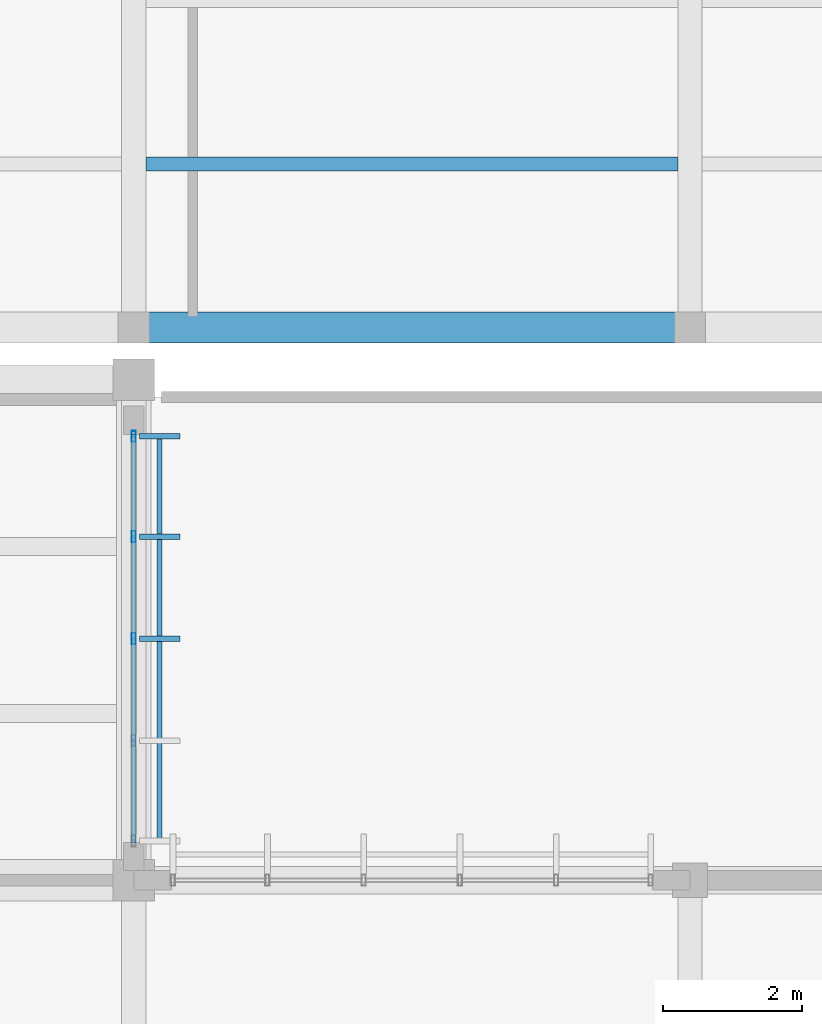
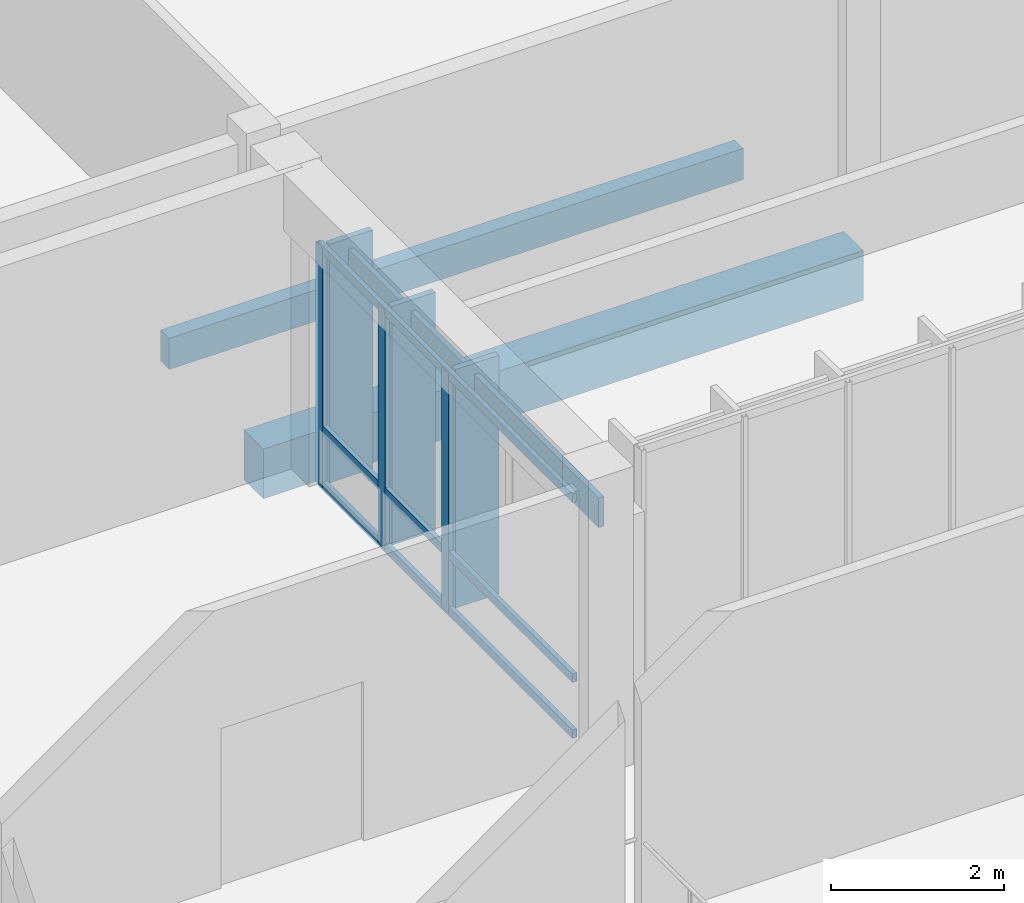
# One storey, part 37 of 182: 10 members, 2 beams, 1 element without a shape of its own.
"""IFC4 building model written with IfcOpenShell, lengths in metres."""

from ifc_helpers import new_model, si_unit, direction, frame, origin, origin_2d, place, context, subcontext, project, spatial, rectangle, hollow_rectangle, extrude, material, material_profile, profile_set, type_object, element, aggregate, save


model = new_model("IFC4")

# Units and contexts
model_context = context("Model", 3, precision=1e-05, world=origin(), true_north=direction((0.0, 1.0)))
body_context = subcontext(model_context, "Body", "Model", "MODEL_VIEW")
ifc_project = project(units=[si_unit("LENGTHUNIT", "METRE"), si_unit("AREAUNIT", "SQUARE_METRE"), si_unit("VOLUMEUNIT", "CUBIC_METRE"), si_unit("PLANEANGLEUNIT", "RADIAN"), si_unit("MASSUNIT", "GRAM", prefix="KILO")], contexts=[model_context])

# Site, building, storey
site_placement = place(None, origin())
site = spatial("IfcSite", under=ifc_project, at=site_placement, CompositionType="ELEMENT")
building_placement = place(site_placement, origin())
building = spatial("IfcBuilding", under=site, at=building_placement, Name="Chiffa Square Polytechnic", CompositionType="ELEMENT")
storey_placement = place(building_placement, frame((0.0, 0.0, 9.60009765625)))
storey = spatial("IfcBuildingStorey", under=building, at=storey_placement, Name="L02", CompositionType="ELEMENT", Elevation=9.60009765625)

# Beam
ifc_material_1 = material(Name="Concrete C35/45", Category="concrete")
ifc_material_profile_1 = material_profile(ifc_material_1, rectangle(XDim=0.449951171875, YDim=0.699951171875, at=origin_2d()), Name="RC 450x700")
ifc_profile_set_1 = profile_set([ifc_material_profile_1], Name="Concrete C35/45")
beam_type_1 = type_object("IfcBeamType", Name="BM-RC-450X700", PredefinedType="BEAM", material=ifc_profile_set_1)
beam_1_placement = place(storey_placement, frame((24.0, 36.75, -0.670166015625), z_axis=(1.0, 0.0, 0.0), x_axis=(0.0, 1.0, 0.0)))
element("IfcBeam", 1, at=beam_1_placement, inside=storey, type_object=beam_type_1, Name="Primary floor girder BM-V6-L02-X-0240-0368", PredefinedType="BEAM", context=body_context, shape_type="SweptSolid", body=[
    extrude(rectangle(XDim=0.449951171875, YDim=0.699951171875, at=origin_2d()), origin(), (0.0, 0.0, 1.0), 8.0),
])

# Curtain wall, members
ifc_material_2 = material(Name="Aluminium EN AW-6060 T66 and glulam shading", Category="wood")
curtain_wall_type = type_object("IfcCurtainWallType", Name="CW-VERT-360X380", PredefinedType="USERDEFINED", material=ifc_material_2)
curtain_wall_placement = place(storey_placement, origin())
curtain_wall = element("IfcCurtainWall", 2, at=curtain_wall_placement, inside=storey, type_object=curtain_wall_type, Name="Curtain wall CW-V3-L02-173", ObjectType="CURTAIN WALL", PredefinedType="USERDEFINED")
ifc_material_3 = material(Name="Aluminium EN AW-6060 T66", Category="aluminium")
ifc_material_profile_2 = material_profile(ifc_material_3, hollow_rectangle(XDim=0.06005859375, YDim=0.159912109375, WallThickness=0.00390625, at=origin_2d()), Name="ALU 60x160x4")
ifc_profile_set_2 = profile_set([ifc_material_profile_2], Name="Aluminium EN AW-6060 T66")
member_type_1 = type_object("IfcMemberType", Name="CWM-ALU-65X150", PredefinedType="MULLION", material=ifc_profile_set_2)
member_1_placement = place(storey_placement, frame((24.0, 32.27490234375, 0.0), z_axis=(0.0, 0.0, 1.0), x_axis=(1.0, 0.0, 0.0)))
member_1 = element("IfcMember", 3, at=member_1_placement, type_object=member_type_1, Name="Curtain wall mullion CW-V3-L02-173-M02", PredefinedType="MULLION", context=body_context, shape_type="SweptSolid", body=[
    extrude(hollow_rectangle(XDim=0.06005859375, YDim=0.159912109375, WallThickness=0.00390625, at=origin_2d()), origin(), (0.0, 0.0, 1.0), 3.385009765625),
])
member_2_placement = place(storey_placement, frame((24.0, 33.741943359375, 0.0), z_axis=(0.0, 0.0, 1.0), x_axis=(1.0, 0.0, 0.0)))
member_2 = element("IfcMember", 4, at=member_2_placement, type_object=member_type_1, Name="Curtain wall mullion CW-V3-L02-173-M03", PredefinedType="MULLION", context=body_context, shape_type="SweptSolid", body=[
    extrude(hollow_rectangle(XDim=0.06005859375, YDim=0.159912109375, WallThickness=0.00390625, at=origin_2d()), origin(), (0.0, 0.0, 1.0), 3.385009765625),
])
member_3_placement = place(storey_placement, frame((24.0, 35.18505859375, 0.0), z_axis=(0.0, 0.0, 1.0), x_axis=(1.0, 0.0, 0.0)))
member_3 = element("IfcMember", 5, at=member_3_placement, type_object=member_type_1, Name="Curtain wall mullion CW-V3-L02-173-M04", PredefinedType="MULLION", context=body_context, shape_type="SweptSolid", body=[
    extrude(hollow_rectangle(XDim=0.06005859375, YDim=0.159912109375, WallThickness=0.00390625, at=origin_2d()), origin(), (0.0, 0.0, 1.0), 3.385009765625),
])
ifc_material_4 = material(Name="Glulam GL28h", Category="wood")
ifc_material_profile_3 = material_profile(ifc_material_4, rectangle(XDim=0.080078125, YDim=0.580078125, at=origin_2d()), Name="GL28h 80x580")
ifc_profile_set_3 = profile_set([ifc_material_profile_3], Name="Glulam GL28h")
member_type_2 = type_object("IfcMemberType", Name="CWM-GL-80X580", PredefinedType="MULLION", material=ifc_profile_set_3)
member_4_placement = place(storey_placement, frame((24.3720703125, 32.27490234375, 0.010009765625), z_axis=(0.0, 0.0, 1.0), x_axis=(0.0, 1.0, 0.0)))
member_4 = element("IfcMember", 6, at=member_4_placement, type_object=member_type_2, Name="Exterior glulam solar fin CW-V3-L02-173-FN02", PredefinedType="MULLION", context=body_context, shape_type="SweptSolid", body=[
    extrude(rectangle(XDim=0.080078125, YDim=0.580078125, at=origin_2d()), origin(), (0.0, 0.0, 1.0), 3.364990234375),
])
member_5_placement = place(storey_placement, frame((24.3720703125, 33.741943359375, 0.010009765625), z_axis=(0.0, 0.0, 1.0), x_axis=(0.0, 1.0, 0.0)))
member_5 = element("IfcMember", 7, at=member_5_placement, type_object=member_type_2, Name="Exterior glulam solar fin CW-V3-L02-173-FN03", PredefinedType="MULLION", context=body_context, shape_type="SweptSolid", body=[
    extrude(rectangle(XDim=0.080078125, YDim=0.580078125, at=origin_2d()), origin(), (0.0, 0.0, 1.0), 3.364990234375),
])
member_6_placement = place(storey_placement, frame((24.3720703125, 35.18505859375, 0.010009765625), z_axis=(0.0, 0.0, 1.0), x_axis=(0.0, 1.0, 0.0)))
member_6 = element("IfcMember", 8, at=member_6_placement, type_object=member_type_2, Name="Exterior glulam solar fin CW-V3-L02-173-FN04", PredefinedType="MULLION", context=body_context, shape_type="SweptSolid", body=[
    extrude(rectangle(XDim=0.080078125, YDim=0.580078125, at=origin_2d()), origin(), (0.0, 0.0, 1.0), 3.364990234375),
])
ifc_material_profile_4 = material_profile(ifc_material_3, hollow_rectangle(XDim=0.06005859375, YDim=0.1201171875, WallThickness=0.00390625, at=origin_2d()), Name="ALU 60x120x4")
ifc_profile_set_4 = profile_set([ifc_material_profile_4], Name="Aluminium EN AW-6060 T66")
member_type_3 = type_object("IfcMemberType", Name="CWT-ALU-65X120", PredefinedType="USERDEFINED", material=ifc_profile_set_4)
member_7_placement = place(storey_placement, frame((24.0, 29.337890625, 0.02978515625), z_axis=(0.0, 1.0, 0.0), x_axis=(-1.0, 0.0, 0.0)))
member_7 = element("IfcMember", 9, at=member_7_placement, type_object=member_type_3, Name="Curtain wall transom CW-V3-L02-173-T01", ObjectType="TRANSOM", PredefinedType="USERDEFINED", context=body_context, shape_type="SweptSolid", body=[
    extrude(hollow_rectangle(XDim=0.06005859375, YDim=0.1201171875, WallThickness=0.00390625, at=origin_2d()), origin(), (0.0, 0.0, 1.0), 5.8740234375),
])
member_8_placement = place(storey_placement, frame((24.0, 29.337890625, 0.81982421875), z_axis=(0.0, 1.0, 0.0), x_axis=(-1.0, 0.0, 0.0)))
member_8 = element("IfcMember", 10, at=member_8_placement, type_object=member_type_3, Name="Curtain wall transom CW-V3-L02-173-T02", ObjectType="TRANSOM", PredefinedType="USERDEFINED", context=body_context, shape_type="SweptSolid", body=[
    extrude(hollow_rectangle(XDim=0.06005859375, YDim=0.1201171875, WallThickness=0.00390625, at=origin_2d()), origin(), (0.0, 0.0, 1.0), 5.8740234375),
])
member_9_placement = place(storey_placement, frame((24.0, 29.337890625, 3.35498046875), z_axis=(0.0, 1.0, 0.0), x_axis=(-1.0, 0.0, 0.0)))
member_9 = element("IfcMember", 11, at=member_9_placement, type_object=member_type_3, Name="Curtain wall transom CW-V3-L02-173-T03", ObjectType="TRANSOM", PredefinedType="USERDEFINED", context=body_context, shape_type="SweptSolid", body=[
    extrude(hollow_rectangle(XDim=0.06005859375, YDim=0.1201171875, WallThickness=0.00390625, at=origin_2d()), origin(), (0.0, 0.0, 1.0), 5.8740234375),
])
ifc_material_profile_5 = material_profile(ifc_material_4, rectangle(XDim=0.070068359375, YDim=0.419921875, at=origin_2d()), Name="GL28h 70x420")
ifc_profile_set_5 = profile_set([ifc_material_profile_5], Name="Glulam GL28h")
member_type_4 = type_object("IfcMemberType", Name="CWT-GL-70X420", PredefinedType="USERDEFINED", material=ifc_profile_set_5)
member_10_placement = place(storey_placement, frame((24.3720703125, 29.364990234375, 3.0048828125), z_axis=(0.0, 1.0, 0.0), x_axis=(-1.0, 0.0, 0.0)))
member_10 = element("IfcMember", 12, at=member_10_placement, type_object=member_type_4, Name="Exterior glulam brise-soleil CW-V3-L02-173-BS01", ObjectType="TRANSOM", PredefinedType="USERDEFINED", context=body_context, shape_type="SweptSolid", body=[
    extrude(rectangle(XDim=0.070068359375, YDim=0.419921875, at=origin_2d()), origin(), (0.0, 0.0, 1.0), 5.820068359375),
])
aggregate(curtain_wall, [member_1, member_4, member_2, member_5, member_3, member_6, member_7, member_8, member_9, member_10])

# Beam
ifc_material_profile_6 = material_profile(ifc_material_4, rectangle(XDim=0.199951171875, YDim=0.43994140625, at=origin_2d()), Name="GL28h 200x440")
ifc_profile_set_6 = profile_set([ifc_material_profile_6], Name="Glulam GL28h")
beam_type_2 = type_object("IfcBeamType", Name="JST-GL-200X440", PredefinedType="JOIST", material=ifc_profile_set_6)
beam_2_placement = place(storey_placement, frame((24.173095703125, 39.10009765625, -0.5400390625), z_axis=(1.0, 0.0, 0.0), x_axis=(0.0, 1.0, 0.0)))
element("IfcBeam", 13, at=beam_2_placement, inside=storey, type_object=beam_type_2, Name="Secondary floor joist JST-V6-L02-0240-0391", PredefinedType="JOIST", context=body_context, shape_type="SweptSolid", body=[
    extrude(rectangle(XDim=0.199951171875, YDim=0.43994140625, at=origin_2d()), origin(), (0.0, 0.0, 1.0), 7.65380859375),
])

save(model, "model.ifc")
